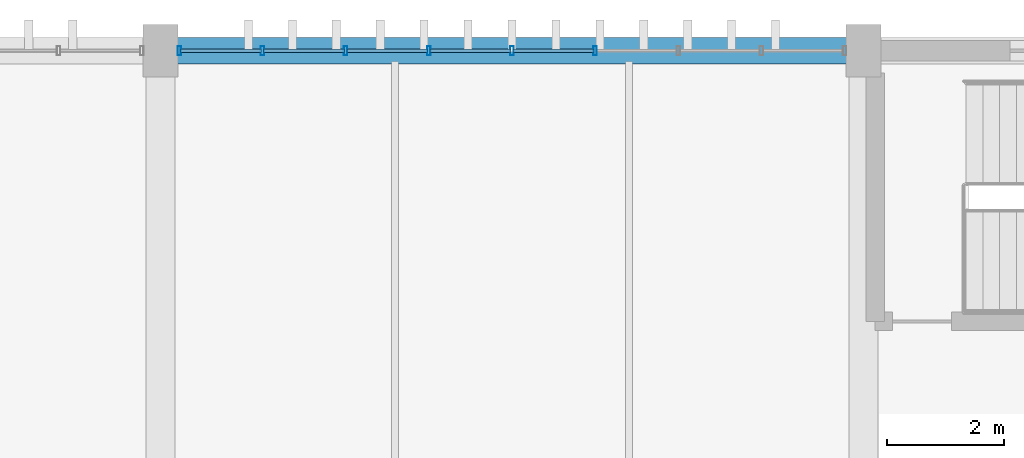
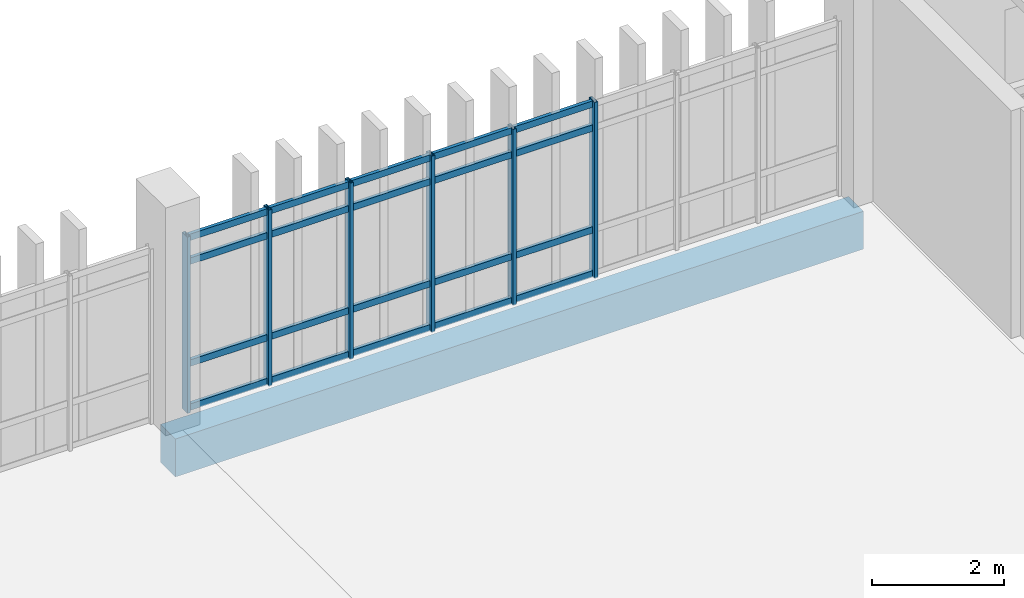
# One storey, part 32 of 111: 26 members, 1 beam, 1 element without a shape of its own.
"""IFC4 building model written with IfcOpenShell, lengths in metres."""

from ifc_helpers import new_model, si_unit, direction, frame, origin, origin_2d, place, context, subcontext, project, spatial, rectangle, hollow_rectangle, extrude, material, layer, layer_set, material_profile, profile_set, type_object, element, aggregate, save


model = new_model("IFC4")

# Units and contexts
model_context = context("Model", 3, precision=1e-05, world=origin(), true_north=direction((0.0, 1.0)))
body_context = subcontext(model_context, "Body", "Model", "MODEL_VIEW")
ifc_project = project(units=[si_unit("LENGTHUNIT", "METRE"), si_unit("AREAUNIT", "SQUARE_METRE"), si_unit("VOLUMEUNIT", "CUBIC_METRE"), si_unit("PLANEANGLEUNIT", "RADIAN"), si_unit("MASSUNIT", "GRAM", prefix="KILO")], contexts=[model_context])

# Site, building, storey
site_placement = place(None, origin())
site = spatial("IfcSite", under=ifc_project, at=site_placement, CompositionType="ELEMENT")
building_placement = place(site_placement, origin())
building = spatial("IfcBuilding", under=site, at=building_placement, Name="Mersad Railyard Sports Hall", CompositionType="ELEMENT")
storey_placement = place(building_placement, frame((0.0, 0.0, 9.0)))
storey = spatial("IfcBuildingStorey", under=building, at=storey_placement, Name="L02", CompositionType="ELEMENT", Elevation=9.0)

# Curtain wall, members
ifc_material_1 = material(Name="Aluminium 6063-T6", Category="aluminium")
ifc_layer = layer(ifc_material_1, 0.159912109375)
ifc_layer_set = layer_set([ifc_layer], Name="Aluminium 6063-T6")
curtain_wall_type = type_object("IfcCurtainWallType", Name="ARC-CW-CW52", PredefinedType="USERDEFINED", material=ifc_layer_set)
curtain_wall_placement = place(storey_placement, origin())
curtain_wall = element("IfcCurtainWall", 1, at=curtain_wall_placement, inside=storey, type_object=curtain_wall_type, Name="Curtain wall CW52-0139", ObjectType="CURTAIN WALL", PredefinedType="USERDEFINED")
ifc_material_profile_1 = material_profile(ifc_material_1, hollow_rectangle(XDim=0.06005859375, YDim=0.159912109375, WallThickness=0.00390625, at=origin_2d()), Name="AL MULLION 60x160x4")
ifc_profile_set_1 = profile_set([ifc_material_profile_1], Name="Aluminium 6063-T6")
member_type_1 = type_object("IfcMemberType", Name="ARC-CW-MUL01", PredefinedType="MULLION", material=ifc_profile_set_1)
member_1_placement = place(storey_placement, frame((55.320068359375, 115.0, -0.02001953125), z_axis=(0.0, 0.0, 1.0), x_axis=(1.0, 0.0, 0.0)))
member_1 = element("IfcMember", 2, at=member_1_placement, type_object=member_type_1, Name="CW52 Mullion 1", PredefinedType="MULLION", context=body_context, shape_type="SweptSolid", body=[
    extrude(hollow_rectangle(XDim=0.06005859375, YDim=0.159912109375, WallThickness=0.00390625, at=origin_2d()), origin(), (0.0, 0.0, 1.0), 3.25),
])
member_2_placement = place(storey_placement, frame((56.739990234375, 115.0, -0.02001953125), z_axis=(0.0, 0.0, 1.0), x_axis=(1.0, 0.0, 0.0)))
member_2 = element("IfcMember", 3, at=member_2_placement, type_object=member_type_1, Name="CW52 Mullion 2", PredefinedType="MULLION", context=body_context, shape_type="SweptSolid", body=[
    extrude(hollow_rectangle(XDim=0.06005859375, YDim=0.159912109375, WallThickness=0.00390625, at=origin_2d()), origin(), (0.0, 0.0, 1.0), 3.25),
])
member_3_placement = place(storey_placement, frame((58.159912109375, 115.0, -0.02001953125), z_axis=(0.0, 0.0, 1.0), x_axis=(1.0, 0.0, 0.0)))
member_3 = element("IfcMember", 4, at=member_3_placement, type_object=member_type_1, Name="CW52 Mullion 3", PredefinedType="MULLION", context=body_context, shape_type="SweptSolid", body=[
    extrude(hollow_rectangle(XDim=0.06005859375, YDim=0.159912109375, WallThickness=0.00390625, at=origin_2d()), origin(), (0.0, 0.0, 1.0), 3.25),
])
member_4_placement = place(storey_placement, frame((59.580078125, 115.0, -0.02001953125), z_axis=(0.0, 0.0, 1.0), x_axis=(1.0, 0.0, 0.0)))
member_4 = element("IfcMember", 5, at=member_4_placement, type_object=member_type_1, Name="CW52 Mullion 4", PredefinedType="MULLION", context=body_context, shape_type="SweptSolid", body=[
    extrude(hollow_rectangle(XDim=0.06005859375, YDim=0.159912109375, WallThickness=0.00390625, at=origin_2d()), origin(), (0.0, 0.0, 1.0), 3.25),
])
member_5_placement = place(storey_placement, frame((61.0, 115.0, -0.02001953125), z_axis=(0.0, 0.0, 1.0), x_axis=(1.0, 0.0, 0.0)))
member_5 = element("IfcMember", 6, at=member_5_placement, type_object=member_type_1, Name="CW52 Mullion 5", PredefinedType="MULLION", context=body_context, shape_type="SweptSolid", body=[
    extrude(hollow_rectangle(XDim=0.06005859375, YDim=0.159912109375, WallThickness=0.00390625, at=origin_2d()), origin(), (0.0, 0.0, 1.0), 3.25),
])
member_6_placement = place(storey_placement, frame((62.419921875, 115.0, -0.02001953125), z_axis=(0.0, 0.0, 1.0), x_axis=(1.0, 0.0, 0.0)))
member_6 = element("IfcMember", 7, at=member_6_placement, type_object=member_type_1, Name="CW52 Mullion 6", PredefinedType="MULLION", context=body_context, shape_type="SweptSolid", body=[
    extrude(hollow_rectangle(XDim=0.06005859375, YDim=0.159912109375, WallThickness=0.00390625, at=origin_2d()), origin(), (0.0, 0.0, 1.0), 3.25),
])
ifc_material_profile_2 = material_profile(ifc_material_1, hollow_rectangle(XDim=0.06005859375, YDim=0.1201171875, WallThickness=0.00390625, at=origin_2d()), Name="AL TRANSOM 60x120x4")
ifc_profile_set_2 = profile_set([ifc_material_profile_2], Name="Aluminium 6063-T6")
member_type_2 = type_object("IfcMemberType", Name="ARC-CW-TRN01", PredefinedType="USERDEFINED", material=ifc_profile_set_2)
member_7_placement = place(storey_placement, frame((55.340087890625, 115.0, 0.0400390625), z_axis=(1.0, 0.0, 0.0), x_axis=(0.0, 1.0, 0.0)))
member_7 = element("IfcMember", 8, at=member_7_placement, type_object=member_type_2, Name="CW52 Transom 1-1", ObjectType="TRANSOM", PredefinedType="USERDEFINED", context=body_context, shape_type="SweptSolid", body=[
    extrude(hollow_rectangle(XDim=0.06005859375, YDim=0.1201171875, WallThickness=0.00390625, at=origin_2d()), origin(), (0.0, 0.0, 1.0), 1.3798828125),
])
member_8_placement = place(storey_placement, frame((56.760009765625, 115.0, 0.0400390625), z_axis=(1.0, 0.0, 0.0), x_axis=(0.0, 1.0, 0.0)))
member_8 = element("IfcMember", 9, at=member_8_placement, type_object=member_type_2, Name="CW52 Transom 1-2", ObjectType="TRANSOM", PredefinedType="USERDEFINED", context=body_context, shape_type="SweptSolid", body=[
    extrude(hollow_rectangle(XDim=0.06005859375, YDim=0.1201171875, WallThickness=0.00390625, at=origin_2d()), origin(), (0.0, 0.0, 1.0), 1.3798828125),
])
member_9_placement = place(storey_placement, frame((58.179931640625, 115.0, 0.0400390625), z_axis=(1.0, 0.0, 0.0), x_axis=(0.0, 1.0, 0.0)))
member_9 = element("IfcMember", 10, at=member_9_placement, type_object=member_type_2, Name="CW52 Transom 1-3", ObjectType="TRANSOM", PredefinedType="USERDEFINED", context=body_context, shape_type="SweptSolid", body=[
    extrude(hollow_rectangle(XDim=0.06005859375, YDim=0.1201171875, WallThickness=0.00390625, at=origin_2d()), origin(), (0.0, 0.0, 1.0), 1.380126953125),
])
member_10_placement = place(storey_placement, frame((59.60009765625, 115.0, 0.0400390625), z_axis=(1.0, 0.0, 0.0), x_axis=(0.0, 1.0, 0.0)))
member_10 = element("IfcMember", 11, at=member_10_placement, type_object=member_type_2, Name="CW52 Transom 1-4", ObjectType="TRANSOM", PredefinedType="USERDEFINED", context=body_context, shape_type="SweptSolid", body=[
    extrude(hollow_rectangle(XDim=0.06005859375, YDim=0.1201171875, WallThickness=0.00390625, at=origin_2d()), origin(), (0.0, 0.0, 1.0), 1.3798828125),
])
member_11_placement = place(storey_placement, frame((61.02001953125, 115.0, 0.0400390625), z_axis=(1.0, 0.0, 0.0), x_axis=(0.0, 1.0, 0.0)))
member_11 = element("IfcMember", 12, at=member_11_placement, type_object=member_type_2, Name="CW52 Transom 1-5", ObjectType="TRANSOM", PredefinedType="USERDEFINED", context=body_context, shape_type="SweptSolid", body=[
    extrude(hollow_rectangle(XDim=0.06005859375, YDim=0.1201171875, WallThickness=0.00390625, at=origin_2d()), origin(), (0.0, 0.0, 1.0), 1.3798828125),
])
member_12_placement = place(storey_placement, frame((55.340087890625, 115.0, 0.85009765625), z_axis=(1.0, 0.0, 0.0), x_axis=(0.0, 1.0, 0.0)))
member_12 = element("IfcMember", 13, at=member_12_placement, type_object=member_type_2, Name="CW52 Transom 2-1", ObjectType="TRANSOM", PredefinedType="USERDEFINED", context=body_context, shape_type="SweptSolid", body=[
    extrude(hollow_rectangle(XDim=0.06005859375, YDim=0.1201171875, WallThickness=0.00390625, at=origin_2d()), origin(), (0.0, 0.0, 1.0), 1.3798828125),
])
member_13_placement = place(storey_placement, frame((56.760009765625, 115.0, 0.85009765625), z_axis=(1.0, 0.0, 0.0), x_axis=(0.0, 1.0, 0.0)))
member_13 = element("IfcMember", 14, at=member_13_placement, type_object=member_type_2, Name="CW52 Transom 2-2", ObjectType="TRANSOM", PredefinedType="USERDEFINED", context=body_context, shape_type="SweptSolid", body=[
    extrude(hollow_rectangle(XDim=0.06005859375, YDim=0.1201171875, WallThickness=0.00390625, at=origin_2d()), origin(), (0.0, 0.0, 1.0), 1.3798828125),
])
member_14_placement = place(storey_placement, frame((58.179931640625, 115.0, 0.85009765625), z_axis=(1.0, 0.0, 0.0), x_axis=(0.0, 1.0, 0.0)))
member_14 = element("IfcMember", 15, at=member_14_placement, type_object=member_type_2, Name="CW52 Transom 2-3", ObjectType="TRANSOM", PredefinedType="USERDEFINED", context=body_context, shape_type="SweptSolid", body=[
    extrude(hollow_rectangle(XDim=0.06005859375, YDim=0.1201171875, WallThickness=0.00390625, at=origin_2d()), origin(), (0.0, 0.0, 1.0), 1.380126953125),
])
member_15_placement = place(storey_placement, frame((59.60009765625, 115.0, 0.85009765625), z_axis=(1.0, 0.0, 0.0), x_axis=(0.0, 1.0, 0.0)))
member_15 = element("IfcMember", 16, at=member_15_placement, type_object=member_type_2, Name="CW52 Transom 2-4", ObjectType="TRANSOM", PredefinedType="USERDEFINED", context=body_context, shape_type="SweptSolid", body=[
    extrude(hollow_rectangle(XDim=0.06005859375, YDim=0.1201171875, WallThickness=0.00390625, at=origin_2d()), origin(), (0.0, 0.0, 1.0), 1.3798828125),
])
member_16_placement = place(storey_placement, frame((61.02001953125, 115.0, 0.85009765625), z_axis=(1.0, 0.0, 0.0), x_axis=(0.0, 1.0, 0.0)))
member_16 = element("IfcMember", 17, at=member_16_placement, type_object=member_type_2, Name="CW52 Transom 2-5", ObjectType="TRANSOM", PredefinedType="USERDEFINED", context=body_context, shape_type="SweptSolid", body=[
    extrude(hollow_rectangle(XDim=0.06005859375, YDim=0.1201171875, WallThickness=0.00390625, at=origin_2d()), origin(), (0.0, 0.0, 1.0), 1.3798828125),
])
member_17_placement = place(storey_placement, frame((55.340087890625, 115.0, 2.72998046875), z_axis=(1.0, 0.0, 0.0), x_axis=(0.0, 1.0, 0.0)))
member_17 = element("IfcMember", 18, at=member_17_placement, type_object=member_type_2, Name="CW52 Transom 3-1", ObjectType="TRANSOM", PredefinedType="USERDEFINED", context=body_context, shape_type="SweptSolid", body=[
    extrude(hollow_rectangle(XDim=0.06005859375, YDim=0.1201171875, WallThickness=0.00390625, at=origin_2d()), origin(), (0.0, 0.0, 1.0), 1.3798828125),
])
member_18_placement = place(storey_placement, frame((56.760009765625, 115.0, 2.72998046875), z_axis=(1.0, 0.0, 0.0), x_axis=(0.0, 1.0, 0.0)))
member_18 = element("IfcMember", 19, at=member_18_placement, type_object=member_type_2, Name="CW52 Transom 3-2", ObjectType="TRANSOM", PredefinedType="USERDEFINED", context=body_context, shape_type="SweptSolid", body=[
    extrude(hollow_rectangle(XDim=0.06005859375, YDim=0.1201171875, WallThickness=0.00390625, at=origin_2d()), origin(), (0.0, 0.0, 1.0), 1.3798828125),
])
member_19_placement = place(storey_placement, frame((58.179931640625, 115.0, 2.72998046875), z_axis=(1.0, 0.0, 0.0), x_axis=(0.0, 1.0, 0.0)))
member_19 = element("IfcMember", 20, at=member_19_placement, type_object=member_type_2, Name="CW52 Transom 3-3", ObjectType="TRANSOM", PredefinedType="USERDEFINED", context=body_context, shape_type="SweptSolid", body=[
    extrude(hollow_rectangle(XDim=0.06005859375, YDim=0.1201171875, WallThickness=0.00390625, at=origin_2d()), origin(), (0.0, 0.0, 1.0), 1.380126953125),
])
member_20_placement = place(storey_placement, frame((59.60009765625, 115.0, 2.72998046875), z_axis=(1.0, 0.0, 0.0), x_axis=(0.0, 1.0, 0.0)))
member_20 = element("IfcMember", 21, at=member_20_placement, type_object=member_type_2, Name="CW52 Transom 3-4", ObjectType="TRANSOM", PredefinedType="USERDEFINED", context=body_context, shape_type="SweptSolid", body=[
    extrude(hollow_rectangle(XDim=0.06005859375, YDim=0.1201171875, WallThickness=0.00390625, at=origin_2d()), origin(), (0.0, 0.0, 1.0), 1.3798828125),
])
member_21_placement = place(storey_placement, frame((61.02001953125, 115.0, 2.72998046875), z_axis=(1.0, 0.0, 0.0), x_axis=(0.0, 1.0, 0.0)))
member_21 = element("IfcMember", 22, at=member_21_placement, type_object=member_type_2, Name="CW52 Transom 3-5", ObjectType="TRANSOM", PredefinedType="USERDEFINED", context=body_context, shape_type="SweptSolid", body=[
    extrude(hollow_rectangle(XDim=0.06005859375, YDim=0.1201171875, WallThickness=0.00390625, at=origin_2d()), origin(), (0.0, 0.0, 1.0), 1.3798828125),
])
member_22_placement = place(storey_placement, frame((55.340087890625, 115.0, 3.169921875), z_axis=(1.0, 0.0, 0.0), x_axis=(0.0, 1.0, 0.0)))
member_22 = element("IfcMember", 23, at=member_22_placement, type_object=member_type_2, Name="CW52 Transom 4-1", ObjectType="TRANSOM", PredefinedType="USERDEFINED", context=body_context, shape_type="SweptSolid", body=[
    extrude(hollow_rectangle(XDim=0.06005859375, YDim=0.1201171875, WallThickness=0.00390625, at=origin_2d()), origin(), (0.0, 0.0, 1.0), 1.3798828125),
])
member_23_placement = place(storey_placement, frame((56.760009765625, 115.0, 3.169921875), z_axis=(1.0, 0.0, 0.0), x_axis=(0.0, 1.0, 0.0)))
member_23 = element("IfcMember", 24, at=member_23_placement, type_object=member_type_2, Name="CW52 Transom 4-2", ObjectType="TRANSOM", PredefinedType="USERDEFINED", context=body_context, shape_type="SweptSolid", body=[
    extrude(hollow_rectangle(XDim=0.06005859375, YDim=0.1201171875, WallThickness=0.00390625, at=origin_2d()), origin(), (0.0, 0.0, 1.0), 1.3798828125),
])
member_24_placement = place(storey_placement, frame((58.179931640625, 115.0, 3.169921875), z_axis=(1.0, 0.0, 0.0), x_axis=(0.0, 1.0, 0.0)))
member_24 = element("IfcMember", 25, at=member_24_placement, type_object=member_type_2, Name="CW52 Transom 4-3", ObjectType="TRANSOM", PredefinedType="USERDEFINED", context=body_context, shape_type="SweptSolid", body=[
    extrude(hollow_rectangle(XDim=0.06005859375, YDim=0.1201171875, WallThickness=0.00390625, at=origin_2d()), origin(), (0.0, 0.0, 1.0), 1.380126953125),
])
member_25_placement = place(storey_placement, frame((59.60009765625, 115.0, 3.169921875), z_axis=(1.0, 0.0, 0.0), x_axis=(0.0, 1.0, 0.0)))
member_25 = element("IfcMember", 26, at=member_25_placement, type_object=member_type_2, Name="CW52 Transom 4-4", ObjectType="TRANSOM", PredefinedType="USERDEFINED", context=body_context, shape_type="SweptSolid", body=[
    extrude(hollow_rectangle(XDim=0.06005859375, YDim=0.1201171875, WallThickness=0.00390625, at=origin_2d()), origin(), (0.0, 0.0, 1.0), 1.3798828125),
])
member_26_placement = place(storey_placement, frame((61.02001953125, 115.0, 3.169921875), z_axis=(1.0, 0.0, 0.0), x_axis=(0.0, 1.0, 0.0)))
member_26 = element("IfcMember", 27, at=member_26_placement, type_object=member_type_2, Name="CW52 Transom 4-5", ObjectType="TRANSOM", PredefinedType="USERDEFINED", context=body_context, shape_type="SweptSolid", body=[
    extrude(hollow_rectangle(XDim=0.06005859375, YDim=0.1201171875, WallThickness=0.00390625, at=origin_2d()), origin(), (0.0, 0.0, 1.0), 1.3798828125),
])
aggregate(curtain_wall, [member_1, member_2, member_3, member_4, member_5, member_6, member_7, member_8, member_9, member_10, member_11, member_12, member_13, member_14, member_15, member_16, member_17, member_18, member_19, member_20, member_21, member_22, member_23, member_24, member_25, member_26])

# Beam
ifc_material_2 = material(Name="Architectural concrete C40/50", Category="concrete")
ifc_material_profile_3 = material_profile(ifc_material_2, rectangle(XDim=0.449951171875, YDim=0.699951171875, at=origin_2d()), Name="RC 450x700")
ifc_profile_set_3 = profile_set([ifc_material_profile_3], Name="Architectural concrete C40/50")
beam_type = type_object("IfcBeamType", Name="STR-BM-SP01", PredefinedType="SPANDREL", material=ifc_profile_set_3)
beam_placement = place(storey_placement, frame((55.0, 115.0, -0.64990234375), z_axis=(1.0, 0.0, 0.0), x_axis=(0.0, 1.0, 0.0)))
element("IfcBeam", 28, at=beam_placement, inside=storey, type_object=beam_type, Name="Beam SP01-1090", PredefinedType="SPANDREL", context=body_context, shape_type="SweptSolid", body=[
    extrude(rectangle(XDim=0.449951171875, YDim=0.699951171875, at=origin_2d()), origin(), (0.0, 0.0, 1.0), 12.0),
])

save(model, "model.ifc")
